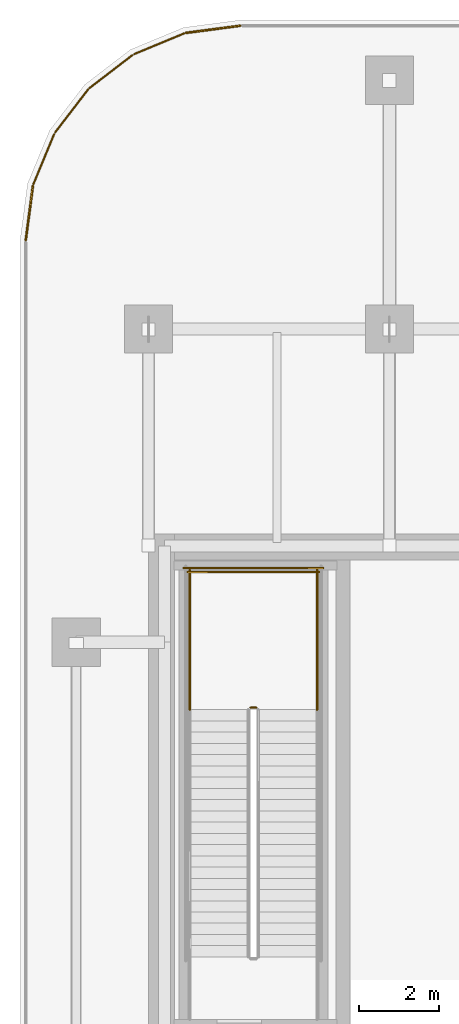
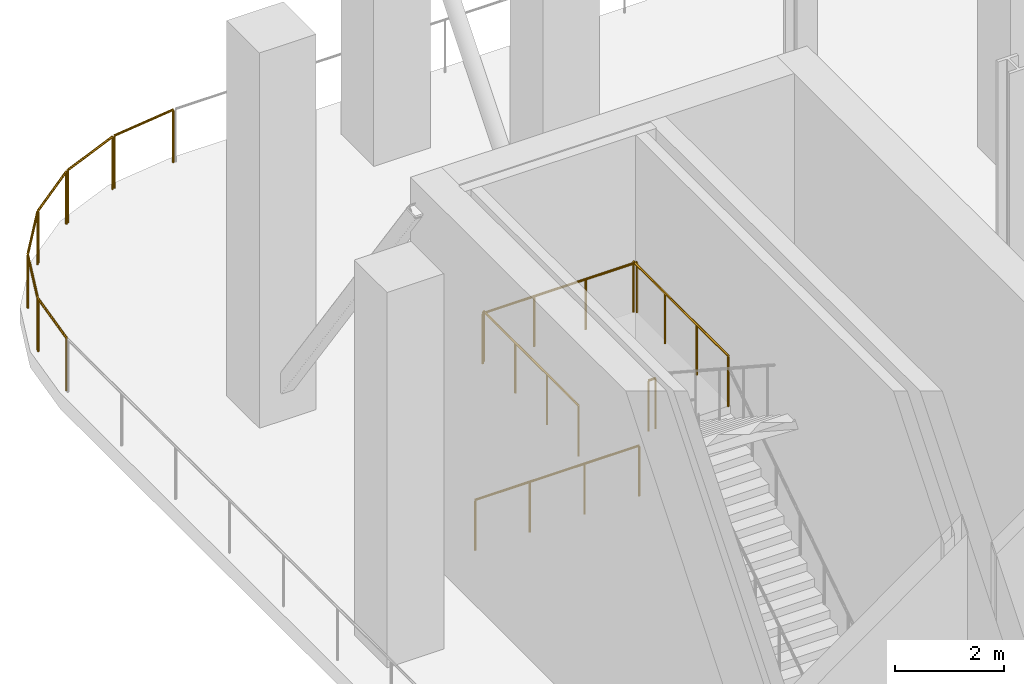
# One storey, part 12 of 13: 11 railings.
"""IFC4 building model written with IfcOpenShell, lengths in metres."""

from ifc_helpers import new_model, si_unit, direction, frame, origin, origin_2d, place, context, subcontext, project, spatial, circle, extrude, material, type_object, element, save


model = new_model("IFC4")

# Units and contexts
model_context = context("Model", 3, precision=1e-05, world=origin(), true_north=direction((0.0, 1.0)))
body_context = subcontext(model_context, "Body", "Model", "MODEL_VIEW")
ifc_project = project(units=[si_unit("LENGTHUNIT", "METRE"), si_unit("AREAUNIT", "SQUARE_METRE"), si_unit("VOLUMEUNIT", "CUBIC_METRE"), si_unit("PLANEANGLEUNIT", "RADIAN"), si_unit("MASSUNIT", "GRAM", prefix="KILO")], contexts=[model_context])

# Site, building, storey
site_placement = place(None, origin())
site = spatial("IfcSite", under=ifc_project, at=site_placement, CompositionType="ELEMENT")
building_placement = place(site_placement, origin())
building = spatial("IfcBuilding", under=site, at=building_placement, Name="Khairoan Windgate Tower", CompositionType="ELEMENT")
storey_placement = place(building_placement, frame((0.0, 0.0, 152.0)))
storey = spatial("IfcBuildingStorey", under=building, at=storey_placement, Name="L35", CompositionType="ELEMENT", Elevation=152.0)

# Railings
ifc_material_1 = material(Name="Anodised Bronze Aluminium 6063-T6", Category="aluminium")
railing_type_1 = type_object("IfcRailingType", Name="Aerodynamic Bronze-and-Glass Balustrade BAL-1200", PredefinedType="BALUSTRADE", material=ifc_material_1)
railing_1_placement = place(storey_placement, frame((-23.456787109375, 20.815673828125, 0.0)))
element("IfcRailing", 1, at=railing_1_placement, inside=storey, type_object=railing_type_1, Name="L35 Wind-Slot Portal Perimeter Balustrade 09", PredefinedType="BALUSTRADE", context=body_context, shape_type="SweptSolid", body=[
    extrude(circle(Radius=0.02392578125, at=origin_2d()), frame((0.0, 0.0, 1.17578125), z_axis=(0.130514966859, 0.991446339156, 0.0), x_axis=(-0.991446339156, 0.130514966859, 0.0)), (0.0, 0.0, 1.0), 1.358154296875),
    extrude(circle(Radius=0.02099609375, at=origin_2d()), origin(), (0.0, 0.0, 1.0), 1.15185546875),
    extrude(circle(Radius=0.02099609375, at=origin_2d()), frame((0.17724609375, 1.346435546875, 0.0)), (0.0, 0.0, 1.0), 1.15185546875),
])
railing_2_placement = place(storey_placement, frame((-23.2666015625, 22.210205078125, 0.0)))
element("IfcRailing", 2, at=railing_2_placement, inside=storey, type_object=railing_type_1, Name="L35 Wind-Slot Portal Perimeter Balustrade 10", PredefinedType="BALUSTRADE", context=body_context, shape_type="SweptSolid", body=[
    extrude(circle(Radius=0.02392578125, at=origin_2d()), frame((0.0, 0.0, 1.17578125), z_axis=(0.382660871212, 0.923888877324, 0.0), x_axis=(-0.923888877324, 0.382660871212, 0.0)), (0.0, 0.0, 1.0), 1.3486328125),
    extrude(circle(Radius=0.02099609375, at=origin_2d()), origin(), (0.0, 0.0, 1.0), 1.15185546875),
    extrude(circle(Radius=0.02099609375, at=origin_2d()), frame((0.51611328125, 1.24609375, 0.0)), (0.0, 0.0, 1.0), 1.15185546875),
])
railing_3_placement = place(storey_placement, frame((-22.7255859375, 23.499267578125, 0.0)))
element("IfcRailing", 3, at=railing_3_placement, inside=storey, type_object=railing_type_1, Name="L35 Wind-Slot Portal Perimeter Balustrade 11", PredefinedType="BALUSTRADE", context=body_context, shape_type="SweptSolid", body=[
    extrude(circle(Radius=0.02392578125, at=origin_2d()), frame((0.0, 0.0, 1.17578125), z_axis=(0.608651893578, 0.793437377771, 0.0), x_axis=(-0.793437377771, 0.608651893578, 0.0)), (0.0, 0.0, 1.0), 1.348876953125),
    extrude(circle(Radius=0.02099609375, at=origin_2d()), origin(), (0.0, 0.0, 1.0), 1.15185546875),
    extrude(circle(Radius=0.02099609375, at=origin_2d()), frame((0.821044921875, 1.0703125, 0.0)), (0.0, 0.0, 1.0), 1.15185546875),
])
railing_4_placement = place(storey_placement, frame((-21.869384765625, 24.6044921875, 0.0)))
element("IfcRailing", 4, at=railing_4_placement, inside=storey, type_object=railing_type_1, Name="L35 Wind-Slot Portal Perimeter Balustrade 12", PredefinedType="BALUSTRADE", context=body_context, shape_type="SweptSolid", body=[
    extrude(circle(Radius=0.02392578125, at=origin_2d()), frame((0.0, 0.0, 1.17578125), z_axis=(0.793370316216, 0.608739304914, 0.0), x_axis=(-0.608739304914, 0.793370316216, 0.0)), (0.0, 0.0, 1.0), 1.348876953125),
    extrude(circle(Radius=0.02099609375, at=origin_2d()), origin(), (0.0, 0.0, 1.0), 1.15185546875),
    extrude(circle(Radius=0.02099609375, at=origin_2d()), frame((1.070068359375, 0.821044921875, 0.0)), (0.0, 0.0, 1.0), 1.15185546875),
])
railing_5_placement = place(storey_placement, frame((-20.75634765625, 25.450439453125, 0.0)))
element("IfcRailing", 5, at=railing_5_placement, inside=storey, type_object=railing_type_1, Name="L35 Wind-Slot Portal Perimeter Balustrade 13", PredefinedType="BALUSTRADE", context=body_context, shape_type="SweptSolid", body=[
    extrude(circle(Radius=0.02392578125, at=origin_2d()), frame((0.0, 0.0, 1.17578125), z_axis=(0.923915376249, 0.382596886462, 0.0), x_axis=(-0.382596886462, 0.923915376249, 0.0)), (0.0, 0.0, 1.0), 1.348876953125),
    extrude(circle(Radius=0.02099609375, at=origin_2d()), origin(), (0.0, 0.0, 1.0), 1.15185546875),
    extrude(circle(Radius=0.02099609375, at=origin_2d()), frame((1.246337890625, 0.51611328125, 0.0)), (0.0, 0.0, 1.0), 1.15185546875),
])
railing_6_placement = place(storey_placement, frame((-19.462158203125, 25.9794921875, 0.0)))
element("IfcRailing", 6, at=railing_6_placement, inside=storey, type_object=railing_type_1, Name="L35 Wind-Slot Portal Perimeter Balustrade 14", PredefinedType="BALUSTRADE", context=body_context, shape_type="SweptSolid", body=[
    extrude(circle(Radius=0.02392578125, at=origin_2d()), frame((0.0, 0.0, 1.17578125), z_axis=(0.991449400613, 0.130491708638, 0.0), x_axis=(-0.130491708638, 0.991449400613, 0.0)), (0.0, 0.0, 1.0), 1.3583984375),
    extrude(circle(Radius=0.02099609375, at=origin_2d()), origin(), (0.0, 0.0, 1.0), 1.15185546875),
    extrude(circle(Radius=0.02099609375, at=origin_2d()), frame((1.3466796875, 0.17724609375, 0.0)), (0.0, 0.0, 1.0), 1.15185546875),
])
ifc_material_2 = material(Name="Steel S355", Category="steel")
railing_type_2 = type_object("IfcRailingType", Name="Stairwell Safety Guardrail SGR-1150", PredefinedType="GUARDRAIL", material=ifc_material_2)
railing_7_placement = place(storey_placement, frame((-17.7099609375, 9.169921875, 4.199951171875)))
element("IfcRailing", 7, at=railing_7_placement, inside=storey, type_object=railing_type_2, Name="L35 ST2 stair guard 2", PredefinedType="GUARDRAIL", context=body_context, shape_type="SweptSolid", body=[
    extrude(circle(Radius=0.02392578125, at=origin_2d()), frame((0.0, 0.0, 1.1259765625), z_axis=(-1.0, 0.0, 0.0), x_axis=(0.0, -1.0, 0.0)), (0.0, 0.0, 1.0), 0.150146484375),
    extrude(circle(Radius=0.02099609375, at=origin_2d()), origin(), (0.0, 0.0, 1.0), 1.101806640625),
    extrude(circle(Radius=0.02099609375, at=origin_2d()), frame((-0.150146484375, 0.0, 0.0)), (0.0, 0.0, 1.0), 1.101806640625),
])
for number, where, name in (
    (8, (-16.199951171875, 9.1201171875, 4.199951171875), "L35 ST2 stair guard 3"),
    (9, (-19.3701171875, 9.1201171875, 4.199951171875), "L35 ST2 stair guard 4"),
):
    element("IfcRailing", number, at=place(storey_placement, frame(where)), inside=storey, type_object=railing_type_2, Name=name, PredefinedType="GUARDRAIL", context=body_context, shape_type="SweptSolid", body=[
        extrude(circle(Radius=0.02392578125, at=origin_2d()), frame((0.0, 0.0, 1.1259765625), z_axis=(0.0, 1.0, 0.0), x_axis=(-1.0, 0.0, 0.0)), (0.0, 0.0, 1.0), 3.47998046875),
        extrude(circle(Radius=0.02099609375, at=origin_2d()), origin(), (0.0, 0.0, 1.0), 1.101806640625),
        extrude(circle(Radius=0.02099609375, at=origin_2d()), frame((0.0, 1.159912109375, 0.0)), (0.0, 0.0, 1.0), 1.101806640625),
        extrude(circle(Radius=0.02099609375, at=origin_2d()), frame((0.0, 2.320068359375, 0.0)), (0.0, 0.0, 1.0), 1.101806640625),
        extrude(circle(Radius=0.02099609375, at=origin_2d()), frame((0.0, 3.47998046875, 0.0)), (0.0, 0.0, 1.0), 1.101806640625),
    ])
railing_8_placement = place(storey_placement, frame((-16.14990234375, 12.550048828125, 4.199951171875)))
element("IfcRailing", 10, at=railing_8_placement, inside=storey, type_object=railing_type_2, Name="L35 ST2 stair guard 5", PredefinedType="GUARDRAIL", context=body_context, shape_type="SweptSolid", body=[
    extrude(circle(Radius=0.02392578125, at=origin_2d()), frame((0.0, 0.0, 1.1259765625), z_axis=(-1.0, 0.0, 0.0), x_axis=(0.0, -1.0, 0.0)), (0.0, 0.0, 1.0), 3.27001953125),
    extrude(circle(Radius=0.02099609375, at=origin_2d()), origin(), (0.0, 0.0, 1.0), 1.101806640625),
    extrude(circle(Radius=0.02099609375, at=origin_2d()), frame((-1.090087890625, 0.0, 0.0)), (0.0, 0.0, 1.0), 1.101806640625),
    extrude(circle(Radius=0.02099609375, at=origin_2d()), frame((-2.179931640625, 0.0, 0.0)), (0.0, 0.0, 1.0), 1.101806640625),
    extrude(circle(Radius=0.02099609375, at=origin_2d()), frame((-3.27001953125, 0.0, 0.0)), (0.0, 0.0, 1.0), 1.101806640625),
])
railing_9_placement = place(storey_placement, frame((-16.050048828125, 12.64990234375, 0.0)))
element("IfcRailing", 11, at=railing_9_placement, inside=storey, type_object=railing_type_2, Name="L35 ST2 stair guard 12", PredefinedType="GUARDRAIL", context=body_context, shape_type="SweptSolid", body=[
    extrude(circle(Radius=0.02392578125, at=origin_2d()), frame((0.0, 0.0, 1.1259765625), z_axis=(-1.0, 0.0, 0.0), x_axis=(0.0, -1.0, 0.0)), (0.0, 0.0, 1.0), 3.469970703125),
    extrude(circle(Radius=0.02099609375, at=origin_2d()), origin(), (0.0, 0.0, 1.0), 1.101806640625),
    extrude(circle(Radius=0.02099609375, at=origin_2d()), frame((-1.15673828125, 0.0, 0.0)), (0.0, 0.0, 1.0), 1.101806640625),
    extrude(circle(Radius=0.02099609375, at=origin_2d()), frame((-2.313232421875, 0.0, 0.0)), (0.0, 0.0, 1.0), 1.101806640625),
    extrude(circle(Radius=0.02099609375, at=origin_2d()), frame((-3.469970703125, 0.0, 0.0)), (0.0, 0.0, 1.0), 1.101806640625),
])

save(model, "model.ifc")
